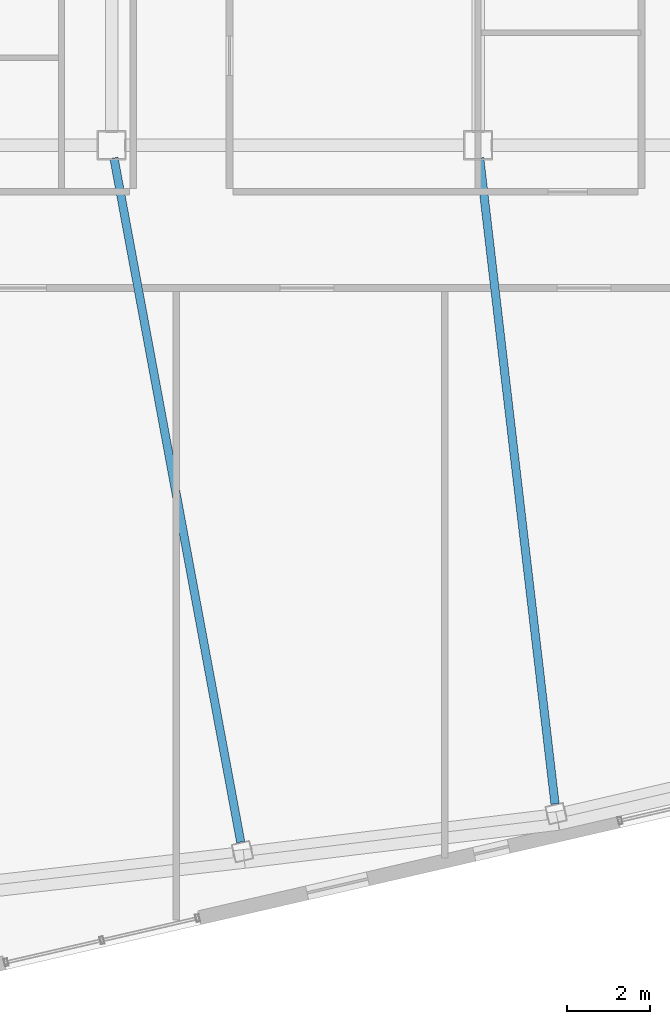
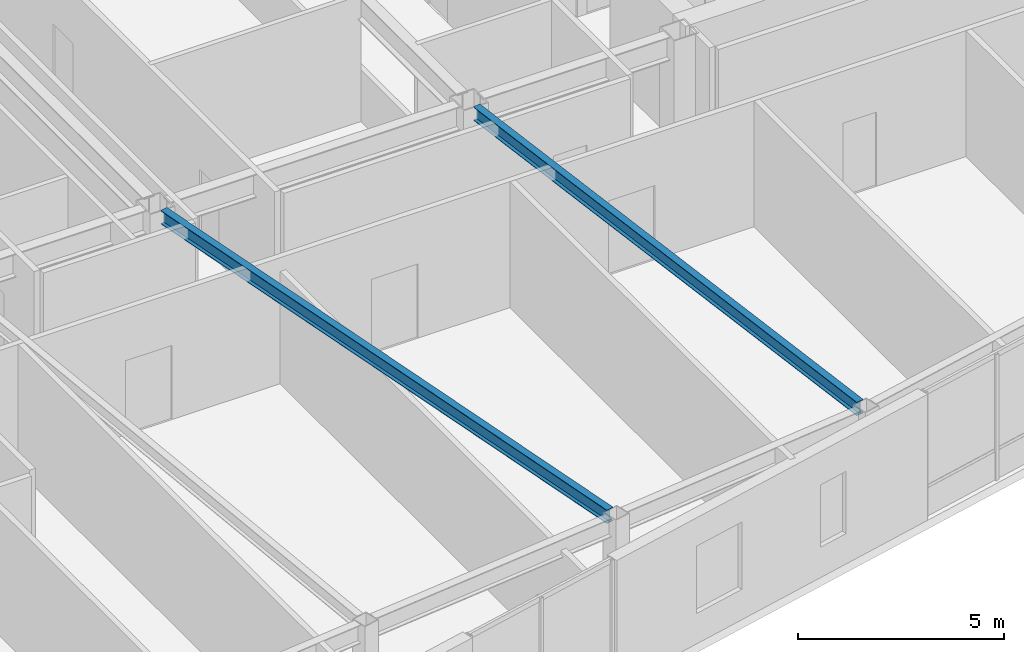
# One storey, part 10 of 22: 2 beams.
"""IFC4 building model written with IfcOpenShell, lengths in metres."""

from ifc_helpers import new_model, si_unit, direction, frame, origin, origin_2d, place, context, subcontext, project, spatial, i_section, extrude, material, material_profile, profile_set, type_object, element, save


model = new_model("IFC4")

# Units and contexts
model_context = context("Model", 3, precision=1e-05, world=origin(), true_north=direction((0.0, 1.0)))
body_context = subcontext(model_context, "Body", "Model", "MODEL_VIEW")
ifc_project = project(units=[si_unit("LENGTHUNIT", "METRE"), si_unit("AREAUNIT", "SQUARE_METRE"), si_unit("VOLUMEUNIT", "CUBIC_METRE"), si_unit("PLANEANGLEUNIT", "RADIAN"), si_unit("MASSUNIT", "GRAM", prefix="KILO")], contexts=[model_context])

# Site, building, storey
site_placement = place(None, origin())
site = spatial("IfcSite", under=ifc_project, at=site_placement, CompositionType="ELEMENT")
building_placement = place(site_placement, origin())
building = spatial("IfcBuilding", under=site, at=building_placement, Name="Tavrogorsk Clinical Tower", CompositionType="ELEMENT")
storey_placement = place(building_placement, frame((0.0, 0.0, 313.0)))
storey = spatial("IfcBuildingStorey", under=building, at=storey_placement, Name="L73", CompositionType="ELEMENT", Elevation=313.0)

# Beams
ifc_material = material(Name="Structural steel S355", Category="steel")
ifc_material_profile = material_profile(ifc_material, i_section(OverallWidth=0.199951171875, OverallDepth=0.39990234375, WebThickness=0.010498046875, FlangeThickness=0.01611328125, at=origin_2d()), Name="B-400x200x10.5x16")
ifc_profile_set = profile_set([ifc_material_profile], Name="Structural steel S355")
beam_type = type_object("IfcBeamType", Name="FloorBeam_B400", PredefinedType="BEAM", material=ifc_profile_set)
beam_1_placement = place(storey_placement, frame((-4.343505859375, -6.65478515625, 3.5400390625), z_axis=(0.182181887688, -0.98326484723, 0.0), x_axis=(0.98326484723, 0.182181887688, 0.0)))
element("IfcBeam", 1, at=beam_1_placement, inside=storey, type_object=beam_type, Name="L73 Radial Floor Beam S4", PredefinedType="BEAM", context=body_context, shape_type="SweptSolid", body=[
    extrude(i_section(OverallWidth=0.199951171875, OverallDepth=0.39990234375, WebThickness=0.010498046875, FlangeThickness=0.01611328125, at=origin_2d()), origin(), (0.0, 0.0, 1.0), 16.70556640625),
])
beam_2_placement = place(storey_placement, frame((4.43603515625, -6.657958984375, 3.5400390625), z_axis=(0.115903069025, -0.993260529061, 0.0), x_axis=(0.993260529061, 0.115903069025, 0.0)))
element("IfcBeam", 2, at=beam_2_placement, inside=storey, type_object=beam_type, Name="L73 Radial Floor Beam S5", PredefinedType="BEAM", context=body_context, shape_type="SweptSolid", body=[
    extrude(i_section(OverallWidth=0.199951171875, OverallDepth=0.39990234375, WebThickness=0.010498046875, FlangeThickness=0.01611328125, at=origin_2d()), origin(), (0.0, 0.0, 1.0), 15.61279296875),
])

save(model, "model.ifc")
